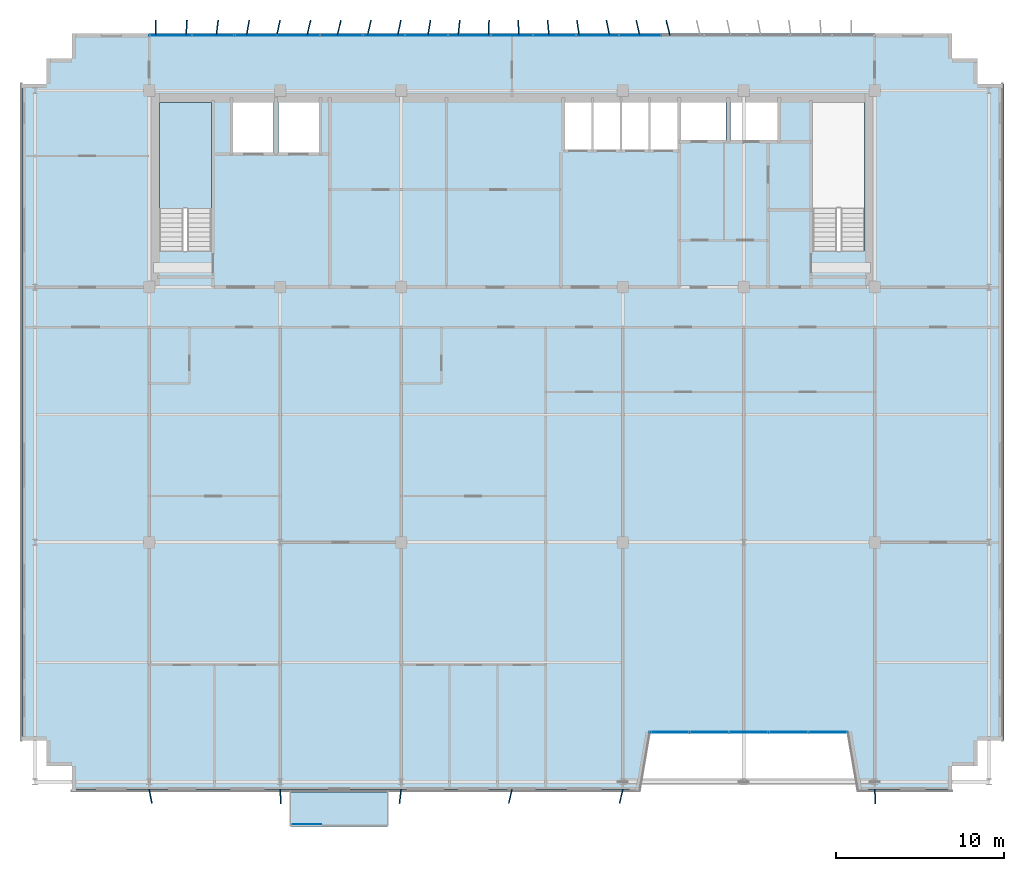
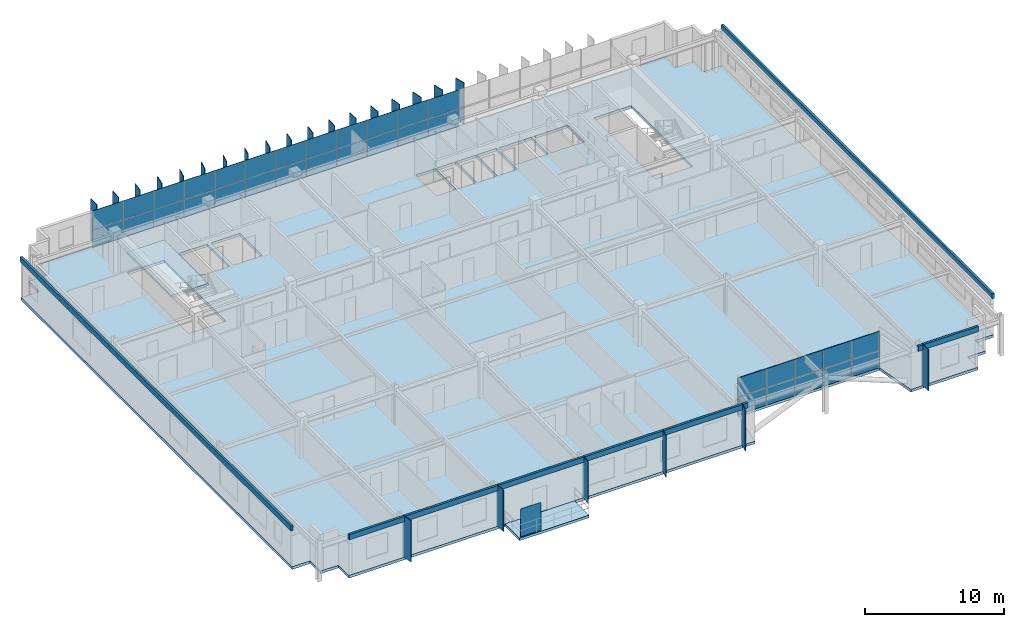
# One storey, part 19 of 27: 63 plates, 3 slabs, 3 elements without a shape of their own.
"""IFC4 building model written with IfcOpenShell, lengths in metres."""

from ifc_helpers import new_model, si_unit, direction, frame, origin, origin_2d, place, context, subcontext, project, spatial, polyline, rectangle, outline, extrude, source, transform, mapped, material, layer, layer_set, type_object, element, aggregate, save


model = new_model("IFC4")

# Units and contexts
model_context = context("Model", 3, precision=1e-05, world=origin(), true_north=direction((0.0, 1.0)))
body_context = subcontext(model_context, "Body", "Model", "MODEL_VIEW")
ifc_project = project(units=[si_unit("LENGTHUNIT", "METRE"), si_unit("AREAUNIT", "SQUARE_METRE"), si_unit("VOLUMEUNIT", "CUBIC_METRE"), si_unit("PLANEANGLEUNIT", "RADIAN"), si_unit("MASSUNIT", "GRAM", prefix="KILO")], contexts=[model_context])

# Site, building, storey
site_placement = place(None, origin())
site = spatial("IfcSite", under=ifc_project, at=site_placement, CompositionType="ELEMENT")
building_placement = place(site_placement, origin())
building = spatial("IfcBuilding", under=site, at=building_placement, Name="Trelvane Seafront Commons", CompositionType="ELEMENT")
storey_placement = place(building_placement, frame((0.0, 0.0, 237.300048828125)))
storey = spatial("IfcBuildingStorey", under=building, at=storey_placement, Name="L62", CompositionType="ELEMENT", Elevation=237.300048828125)

# Slab
ifc_material_1 = material(Name="Concrete C40/50", Category="concrete")
ifc_layer_1 = layer(ifc_material_1, 0.219970703125, Name="ARCH-BALC-220")
ifc_layer_set_1 = layer_set([ifc_layer_1], Name="Concrete C40/50")
slab_type_1 = type_object("IfcSlabType", Name="ARCH-BALC-220", PredefinedType="FLOOR", material=ifc_layer_set_1)
slab_1_placement = place(storey_placement, frame((0.0, 0.0, -0.219970703125)))
element("IfcSlab", 1, at=slab_1_placement, inside=storey, type_object=slab_type_1, Name="L62 Cantilevered Tree Balcony Loggia 2", PredefinedType="FLOOR", context=body_context, shape_type="SweptSolid", body=[
    extrude(outline(polyline([(24.0, 1.300048828125), (29.800048828125, 1.300048828125), (29.800048828125, 3.39990234375), (24.0, 3.39990234375), (24.0, 1.300048828125)])), origin(), (0.0, 0.0, 1.0), 0.219970703125),
])

# Stair, slab
stair_type = type_object("IfcStairType", Name="ARCH-STR-ST-1-R20-180", PredefinedType="HALF_TURN_STAIR", material=ifc_material_1)
stair_placement = place(storey_placement, origin())
stair = element("IfcStair", 2, at=stair_placement, inside=storey, type_object=stair_type, Name="L62 West Protected Firefighting Exit Stair ST-1", PredefinedType="HALF_TURN_STAIR")
ifc_layer_2 = layer(ifc_material_1, 0.199951171875, Name="ARCH-LND-200")
ifc_layer_set_2 = layer_set([ifc_layer_2], Name="Concrete C40/50")
slab_type_2 = type_object("IfcSlabType", Name="ARCH-LND-200", PredefinedType="LANDING", material=ifc_layer_set_2)
slab_2_placement = place(storey_placement, frame((0.0, 0.0, 1.599853515625)))
slab_2 = element("IfcSlab", 3, at=slab_2_placement, type_object=slab_type_2, Name="ST-1 landing 1", PredefinedType="LANDING", context=body_context, shape_type="SweptSolid", body=[
    extrude(outline(polyline([(19.300048828125, 38.070068359375), (19.300048828125, 44.39990234375), (16.199951171875, 44.39990234375), (16.199951171875, 38.070068359375), (19.300048828125, 38.070068359375)])), origin(), (0.0, 0.0, 1.0), 0.2001953125),
])
aggregate(stair, [slab_2])

# Slab
ifc_material_2 = material(Name="Concrete C50/60", Category="concrete")
ifc_layer_3 = layer(ifc_material_2, 0.239990234375, Name="STR-SLB-Z4-240")
ifc_layer_set_3 = layer_set([ifc_layer_3], Name="Concrete C50/60")
slab_type_3 = type_object("IfcSlabType", Name="STR-SLB-Z4-240", PredefinedType="FLOOR", material=ifc_layer_set_3)
slab_3_placement = place(storey_placement, frame((0.0, 0.0, -0.239990234375)))
element("IfcSlab", 4, at=slab_3_placement, inside=storey, type_object=slab_type_3, Name="L62 Structural Floor Slab", PredefinedType="FLOOR", context=body_context, shape_type="SweptSolid", body=[
    extrude(outline(polyline([(11.0, 3.39990234375), (44.800048828125, 3.39990234375), (45.39990234375, 6.89990234375), (57.199951171875, 6.89990234375), (57.800048828125, 3.39990234375), (63.39990234375, 3.39990234375), (63.39990234375, 4.89990234375), (64.89990234375, 4.89990234375), (64.89990234375, 6.39990234375), (66.39990234375, 6.39990234375), (66.39990234375, 45.5), (64.89990234375, 45.5), (64.89990234375, 47.0), (63.39990234375, 47.0), (63.39990234375, 48.5), (11.0, 48.5), (11.0, 47.0), (9.5, 47.0), (9.5, 45.5), (8.0, 45.5), (8.0, 6.39990234375), (9.5, 6.39990234375), (9.5, 4.89990234375), (11.0, 4.89990234375), (11.0, 3.39990234375)]), holes=[polyline([(19.300048828125, 35.550048828125), (16.199951171875, 35.550048828125), (16.199951171875, 44.39990234375), (19.300048828125, 44.39990234375), (19.300048828125, 35.550048828125)]), polyline([(58.199951171875, 35.550048828125), (55.10009765625, 35.550048828125), (55.10009765625, 44.39990234375), (58.199951171875, 44.39990234375), (58.199951171875, 35.550048828125)]), polyline([(23.0, 41.39990234375), (20.60009765625, 41.39990234375), (20.60009765625, 44.60009765625), (23.0, 44.60009765625), (23.0, 41.39990234375)]), polyline([(23.300048828125, 41.39990234375), (23.300048828125, 44.60009765625), (25.699951171875, 44.60009765625), (25.699951171875, 41.39990234375), (23.300048828125, 41.39990234375)]), polyline([(40.35009765625, 41.60009765625), (40.35009765625, 44.60009765625), (41.969970703125, 44.60009765625), (41.969970703125, 41.60009765625), (40.35009765625, 41.60009765625)]), polyline([(43.669921875, 41.60009765625), (42.050048828125, 41.60009765625), (42.050048828125, 44.60009765625), (43.669921875, 44.60009765625), (43.669921875, 41.60009765625)]), polyline([(45.3701171875, 41.60009765625), (43.75, 41.60009765625), (43.75, 44.60009765625), (45.3701171875, 44.60009765625), (45.3701171875, 41.60009765625)]), polyline([(47.070068359375, 41.60009765625), (45.449951171875, 41.60009765625), (45.449951171875, 44.60009765625), (47.070068359375, 44.60009765625), (47.070068359375, 41.60009765625)]), polyline([(47.25, 42.14990234375), (47.25, 44.550048828125), (49.949951171875, 44.550048828125), (49.949951171875, 42.14990234375), (47.25, 42.14990234375)]), polyline([(50.199951171875, 42.14990234375), (50.199951171875, 44.550048828125), (53.0, 44.550048828125), (53.0, 42.14990234375), (50.199951171875, 42.14990234375)])]), origin(), (0.0, 0.0, 1.0), 0.239990234375),
])

# Plates
ifc_material_3 = material(Name="Perforated anodised aluminium screen", Category="aluminium")
ifc_layer_4 = layer(ifc_material_3, 0.01611328125, Name="ARCH-PLATE-SCREEN")
ifc_layer_set_4 = layer_set([ifc_layer_4], Name="Perforated anodised aluminium screen")
plate_type_1 = type_object("IfcPlateType", Name="ARCH-PLATE-SCREEN", PredefinedType="USERDEFINED", material=ifc_layer_set_4)
shared_shape_1 = source(origin(), body_context, "Body", "SweptSolid", [
    extrude(rectangle(XDim=1.681884765625, YDim=0.01611328125, at=origin_2d()), origin(), (0.0, 0.0, 1.0), 2.449951171875),
])
plate_1_placement = place(storey_placement, frame((24.990966796875, 1.419921875, 0.0), z_axis=(0.0, 0.0, 1.0), x_axis=(1.0, 0.0, 0.0)))
element("IfcPlate", 5, at=plate_1_placement, inside=storey, type_object=plate_type_1, Name="SCR-L62-00217", ObjectType="SCREEN", PredefinedType="USERDEFINED", context=body_context, shape_type="MappedRepresentation", body=[
    mapped(shared_shape_1, transform((0.0, 0.0, 0.0), x_axis=(1.0, 0.0, 0.0), y_axis=(0.0, 1.0, 0.0), z_axis=(0.0, 0.0, 1.0), scale=1.0)),
])
ifc_material_4 = material(Name="Anodised pale-silver aluminium", Category="aluminium")
ifc_layer_5 = layer(ifc_material_4, 0.06005859375, Name="ARCH-PLATE-FIN900")
ifc_layer_set_5 = layer_set([ifc_layer_5], Name="Anodised pale-silver aluminium")
plate_type_2 = type_object("IfcPlateType", Name="ARCH-PLATE-FIN900", PredefinedType="USERDEFINED", material=ifc_layer_set_5)
shared_shape_2 = source(origin(), body_context, "Body", "SweptSolid", [
    extrude(rectangle(XDim=0.89990234375, YDim=0.06005859375, at=origin_2d()), origin(), (0.0, 0.0, 1.0), 3.639892578125),
])
for number, where, z_axis, x_axis, name in (
    (6, (15.9970703125, 48.85009765625, -0.02001953125), (0.0, 0.0, 1.0), (-0.006443711006, 0.999979239079, 0.0), "FIN-L62-01726"),
    (7, (17.826904296875, 48.84912109375, -0.02001953125), (0.0, 0.0, 1.0), (0.059667016932, 0.998218336383, 0.0), "FIN-L62-01727"),
    (8, (19.654541015625, 48.8466796875, -0.02001953125), (0.0, 0.0, 1.0), (0.121107086818, 0.992639447898, 0.0), "FIN-L62-01728"),
    (9, (21.477783203125, 48.84326171875, -0.02001953125), (0.0, 0.0, 1.0), (0.173221895596, 0.984882822922, 0.0), "FIN-L62-01729"),
    (10, (23.29541015625, 48.839599609375, -0.02001953125), (0.0, 0.0, 1.0), (0.212327761576, 0.977198506786, 0.0), "FIN-L62-01730"),
    (11, (25.10595703125, 48.83740234375, -0.02001953125), (0.0, 0.0, 1.0), (0.235549226534, 0.971862419213, 0.0), "FIN-L62-01731"),
    (12, (26.90869140625, 48.836669921875, -0.02001953125), (0.0, 0.0, 1.0), (0.24167294527, 0.970357762645, 0.0), "FIN-L62-01732"),
    (13, (28.70361328125, 48.837890625, -0.02001953125), (0.0, 0.0, 1.0), (0.230228077667, 0.973136697619, 0.0), "FIN-L62-01733"),
    (14, (30.490966796875, 48.8408203125, -0.02001953125), (0.0, 0.0, 1.0), (0.201881403632, 0.979409974866, 0.0), "FIN-L62-01734"),
    (15, (32.271240234375, 48.84423828125, -0.02001953125), (0.0, 0.0, 1.0), (0.158449308582, 0.987367113393, 0.0), "FIN-L62-01735"),
    (16, (34.04638671875, 48.84765625, -0.02001953125), (0.0, 0.0, 1.0), (0.103000864602, 0.994681266482, 0.0), "FIN-L62-01736"),
    (17, (35.81787109375, 48.849609375, -0.02001953125), (0.0, 0.0, 1.0), (0.039666160696, 0.999212988154, 0.0), "FIN-L62-01737"),
    (18, (37.587890625, 48.849853515625, -0.02001953125), (0.0, 0.0, 1.0), (-0.026888791929, 0.999638431068, 0.0), "FIN-L62-01738"),
    (19, (39.35888671875, 48.84814453125, -0.02001953125), (0.0, 0.0, 1.0), (-0.091227010008, 0.995830122383, 0.0), "FIN-L62-01739"),
    (20, (41.13330078125, 48.844970703125, -0.02001953125), (0.0, 0.0, 1.0), (-0.148558521364, 0.988903618019, 0.0), "FIN-L62-01740"),
    (21, (42.912353515625, 48.84130859375, -0.02001953125), (0.0, 0.0, 1.0), (-0.194556213627, 0.980891369999, 0.0), "FIN-L62-01741"),
    (22, (44.6982421875, 48.83837890625, -0.02001953125), (0.0, 0.0, 1.0), (-0.226003592141, 0.97412646835, 0.0), "FIN-L62-01742"),
    (23, (46.49169921875, 48.836669921875, -0.02001953125), (0.0, 0.0, 1.0), (-0.240888732524, 0.970552738672, 0.0), "FIN-L62-01743"),
):
    element("IfcPlate", number, at=place(storey_placement, frame(where, z_axis=z_axis, x_axis=x_axis)), inside=storey, type_object=plate_type_2, Name=name, ObjectType="FIN", PredefinedType="USERDEFINED", context=body_context, shape_type="MappedRepresentation", body=[
        mapped(shared_shape_2, transform((0.0, 0.0, 0.0), x_axis=(1.0, 0.0, 0.0), y_axis=(0.0, 1.0, 0.0), z_axis=(0.0, 0.0, 1.0), scale=1.0)),
    ])
shared_shape_3 = source(origin(), body_context, "Body", "SweptSolid", [
    extrude(rectangle(XDim=0.85009765625, YDim=0.06005859375, at=origin_2d()), origin(), (0.0, 0.0, 1.0), 3.639892578125),
])
for number, where, z_axis, x_axis, name in (
    (24, (23.42041015625, 3.075439453125, -0.02001953125), (0.0, 0.0, 1.0), (0.047883989066, -0.998852903881, 0.0), "FIN-S-L62-01751"),
    (25, (30.550048828125, 3.077880859375, -0.02001953125), (0.0, 0.0, 1.0), (-0.117530464529, -0.993069277497, 0.0), "FIN-S-L62-01752"),
    (26, (37.10400390625, 3.0859375, -0.02001953125), (0.0, 0.0, 1.0), (-0.226001891969, -0.974126862799, 0.0), "FIN-S-L62-01753"),
    (27, (43.70263671875, 3.086181640625, -0.02001953125), (0.0, 0.0, 1.0), (-0.228947251948, -0.973438830038, 0.0), "FIN-S-L62-01754"),
    (28, (58.816650390625, 3.075439453125, -0.02001953125), (0.0, 0.0, 1.0), (0.039177848395, -0.99923225338, 0.0), "FIN-S-L62-01755"),
):
    element("IfcPlate", number, at=place(storey_placement, frame(where, z_axis=z_axis, x_axis=x_axis)), inside=storey, type_object=plate_type_2, Name=name, ObjectType="FIN", PredefinedType="USERDEFINED", context=body_context, shape_type="MappedRepresentation", body=[
        mapped(shared_shape_3, transform((0.0, 0.0, 0.0), x_axis=(1.0, 0.0, 0.0), y_axis=(0.0, 1.0, 0.0), z_axis=(0.0, 0.0, 1.0), scale=1.0)),
    ])

# Curtain wall, plates
curtain_wall_type_1 = type_object("IfcCurtainWallType", Name="ARCH-CW3-PORTAL", PredefinedType="NOTDEFINED", material=ifc_material_4)
curtain_wall_1_placement = place(storey_placement, origin())
curtain_wall_1 = element("IfcCurtainWall", 29, at=curtain_wall_1_placement, inside=storey, type_object=curtain_wall_type_1, Name="CW-L62-VN-0107", PredefinedType="NOTDEFINED")
ifc_material_5 = material(Name="Low-E coastal double glazing", Category="glass")
ifc_layer_6 = layer(ifc_material_5, 0.033935546875, Name="ARCH-CW-GLAZ-34")
ifc_layer_set_6 = layer_set([ifc_layer_6], Name="Low-E coastal double glazing")
plate_type_3 = type_object("IfcPlateType", Name="ARCH-CW-GLAZ-34", PredefinedType="CURTAIN_PANEL", material=ifc_layer_set_6)
shared_shape_4 = source(origin(), body_context, "Body", "SweptSolid", [
    extrude(rectangle(XDim=2.3359375, YDim=0.0380859375, at=origin_2d()), origin(), (0.0, 0.0, 1.0), 1.528076171875),
])
plate_2_placement = place(storey_placement, frame((56.02001953125, 6.89990234375, 0.0), z_axis=(0.0, 0.0, 1.0), x_axis=(-1.0, 0.0, 0.0)))
plate_2 = element("IfcPlate", 30, at=plate_2_placement, type_object=plate_type_3, Name="CW-L62-VN-0107-P00-1", PredefinedType="CURTAIN_PANEL", context=body_context, shape_type="MappedRepresentation", body=[
    mapped(shared_shape_4, transform((0.0, 0.0, 0.0), x_axis=(1.0, 0.0, 0.0), y_axis=(0.0, 1.0, 0.0), z_axis=(0.0, 0.0, 1.0), scale=1.0)),
])
plate_3_placement = place(storey_placement, frame((53.659912109375, 6.89990234375, 0.0), z_axis=(0.0, 0.0, 1.0), x_axis=(-1.0, 0.0, 0.0)))
plate_3 = element("IfcPlate", 31, at=plate_3_placement, type_object=plate_type_3, Name="CW-L62-VN-0107-P01-1", PredefinedType="CURTAIN_PANEL", context=body_context, shape_type="MappedRepresentation", body=[
    mapped(shared_shape_4, transform((0.0, 0.0, 0.0), x_axis=(1.0, 0.0, 0.0), y_axis=(0.0, 1.0, 0.0), z_axis=(0.0, 0.0, 1.0), scale=1.0)),
])
plate_4_placement = place(storey_placement, frame((51.300048828125, 6.89990234375, 0.0), z_axis=(0.0, 0.0, 1.0), x_axis=(-1.0, 0.0, 0.0)))
plate_4 = element("IfcPlate", 32, at=plate_4_placement, type_object=plate_type_3, Name="CW-L62-VN-0107-P02-1", PredefinedType="CURTAIN_PANEL", context=body_context, shape_type="MappedRepresentation", body=[
    mapped(shared_shape_4, transform((0.0, 0.0, 0.0), x_axis=(1.0, 0.0, 0.0), y_axis=(0.0, 1.0, 0.0), z_axis=(0.0, 0.0, 1.0), scale=1.0)),
])
plate_5_placement = place(storey_placement, frame((48.93994140625, 6.89990234375, 0.0), z_axis=(0.0, 0.0, 1.0), x_axis=(-1.0, 0.0, 0.0)))
plate_5 = element("IfcPlate", 33, at=plate_5_placement, type_object=plate_type_3, Name="CW-L62-VN-0107-P03-1", PredefinedType="CURTAIN_PANEL", context=body_context, shape_type="MappedRepresentation", body=[
    mapped(shared_shape_4, transform((0.0, 0.0, 0.0), x_axis=(1.0, 0.0, 0.0), y_axis=(0.0, 1.0, 0.0), z_axis=(0.0, 0.0, 1.0), scale=1.0)),
])
plate_6_placement = place(storey_placement, frame((46.580078125, 6.89990234375, 0.0), z_axis=(0.0, 0.0, 1.0), x_axis=(-1.0, 0.0, 0.0)))
plate_6 = element("IfcPlate", 34, at=plate_6_placement, type_object=plate_type_3, Name="CW-L62-VN-0107-P04-1", PredefinedType="CURTAIN_PANEL", context=body_context, shape_type="MappedRepresentation", body=[
    mapped(shared_shape_4, transform((0.0, 0.0, 0.0), x_axis=(1.0, 0.0, 0.0), y_axis=(0.0, 1.0, 0.0), z_axis=(0.0, 0.0, 1.0), scale=1.0)),
])
shared_shape_5 = source(origin(), body_context, "Body", "SweptSolid", [
    extrude(rectangle(XDim=2.3359375, YDim=0.0380859375, at=origin_2d()), origin(), (0.0, 0.0, 1.0), 1.656005859375),
])
plate_7_placement = place(storey_placement, frame((56.02001953125, 6.89990234375, 1.56396484375), z_axis=(0.0, 0.0, 1.0), x_axis=(-1.0, 0.0, 0.0)))
plate_7 = element("IfcPlate", 35, at=plate_7_placement, type_object=plate_type_3, Name="CW-L62-VN-0107-P00-2", PredefinedType="CURTAIN_PANEL", context=body_context, shape_type="MappedRepresentation", body=[
    mapped(shared_shape_5, transform((0.0, 0.0, 0.0), x_axis=(1.0, 0.0, 0.0), y_axis=(0.0, 1.0, 0.0), z_axis=(0.0, 0.0, 1.0), scale=1.0)),
])
plate_8_placement = place(storey_placement, frame((53.659912109375, 6.89990234375, 1.56396484375), z_axis=(0.0, 0.0, 1.0), x_axis=(-1.0, 0.0, 0.0)))
plate_8 = element("IfcPlate", 36, at=plate_8_placement, type_object=plate_type_3, Name="CW-L62-VN-0107-P01-2", PredefinedType="CURTAIN_PANEL", context=body_context, shape_type="MappedRepresentation", body=[
    mapped(shared_shape_5, transform((0.0, 0.0, 0.0), x_axis=(1.0, 0.0, 0.0), y_axis=(0.0, 1.0, 0.0), z_axis=(0.0, 0.0, 1.0), scale=1.0)),
])
plate_9_placement = place(storey_placement, frame((51.300048828125, 6.89990234375, 1.56396484375), z_axis=(0.0, 0.0, 1.0), x_axis=(-1.0, 0.0, 0.0)))
plate_9 = element("IfcPlate", 37, at=plate_9_placement, type_object=plate_type_3, Name="CW-L62-VN-0107-P02-2", PredefinedType="CURTAIN_PANEL", context=body_context, shape_type="MappedRepresentation", body=[
    mapped(shared_shape_5, transform((0.0, 0.0, 0.0), x_axis=(1.0, 0.0, 0.0), y_axis=(0.0, 1.0, 0.0), z_axis=(0.0, 0.0, 1.0), scale=1.0)),
])
plate_10_placement = place(storey_placement, frame((48.93994140625, 6.89990234375, 1.56396484375), z_axis=(0.0, 0.0, 1.0), x_axis=(-1.0, 0.0, 0.0)))
plate_10 = element("IfcPlate", 38, at=plate_10_placement, type_object=plate_type_3, Name="CW-L62-VN-0107-P03-2", PredefinedType="CURTAIN_PANEL", context=body_context, shape_type="MappedRepresentation", body=[
    mapped(shared_shape_5, transform((0.0, 0.0, 0.0), x_axis=(1.0, 0.0, 0.0), y_axis=(0.0, 1.0, 0.0), z_axis=(0.0, 0.0, 1.0), scale=1.0)),
])
plate_11_placement = place(storey_placement, frame((46.580078125, 6.89990234375, 1.56396484375), z_axis=(0.0, 0.0, 1.0), x_axis=(-1.0, 0.0, 0.0)))
plate_11 = element("IfcPlate", 39, at=plate_11_placement, type_object=plate_type_3, Name="CW-L62-VN-0107-P04-2", PredefinedType="CURTAIN_PANEL", context=body_context, shape_type="MappedRepresentation", body=[
    mapped(shared_shape_5, transform((0.0, 0.0, 0.0), x_axis=(1.0, 0.0, 0.0), y_axis=(0.0, 1.0, 0.0), z_axis=(0.0, 0.0, 1.0), scale=1.0)),
])
aggregate(curtain_wall_1, [plate_2, plate_7, plate_3, plate_8, plate_4, plate_9, plate_5, plate_10, plate_6, plate_11])

# Plate
shared_shape_6 = source(origin(), body_context, "Body", "SweptSolid", [
    extrude(rectangle(XDim=0.849853515625, YDim=0.06005859375, at=origin_2d()), origin(), (0.0, 0.0, 1.0), 3.639892578125),
])
plate_12_placement = place(storey_placement, frame((15.6806640625, 3.082763671875, -0.02001953125), z_axis=(0.0, 0.0, 1.0), x_axis=(0.189777506137, -0.981827122341, 0.0)))
element("IfcPlate", 40, at=plate_12_placement, inside=storey, type_object=plate_type_2, Name="FIN-S-L62-01750", ObjectType="FIN", PredefinedType="USERDEFINED", context=body_context, shape_type="MappedRepresentation", body=[
    mapped(shared_shape_6, transform((0.0, 0.0, 0.0), x_axis=(1.0, 0.0, 0.0), y_axis=(0.0, 1.0, 0.0), z_axis=(0.0, 0.0, 1.0), scale=1.0)),
])

# Curtain wall, plates
curtain_wall_type_2 = type_object("IfcCurtainWallType", Name="ARCH-CW5-UPTOWER", PredefinedType="NOTDEFINED", material=ifc_material_4)
curtain_wall_2_placement = place(storey_placement, origin())
curtain_wall_2 = element("IfcCurtainWall", 41, at=curtain_wall_2_placement, inside=storey, type_object=curtain_wall_type_2, Name="CW-L62-0106", PredefinedType="NOTDEFINED")
shared_shape_7 = source(origin(), body_context, "Body", "SweptSolid", [
    extrude(rectangle(XDim=2.51708984375, YDim=0.033935546875, at=origin_2d()), origin(), (0.0, 0.0, 1.0), 1.528076171875),
])
plate_13_placement = place(storey_placement, frame((16.87060546875, 48.3701171875, 0.0), z_axis=(0.0, 0.0, 1.0), x_axis=(1.0, 0.0, 0.0)))
plate_13 = element("IfcPlate", 42, at=plate_13_placement, type_object=plate_type_3, Name="CW-L62-0106-P00-1", PredefinedType="CURTAIN_PANEL", context=body_context, shape_type="MappedRepresentation", body=[
    mapped(shared_shape_7, transform((0.0, 0.0, 0.0), x_axis=(1.0, 0.0, 0.0), y_axis=(0.0, 1.0, 0.0), z_axis=(0.0, 0.0, 1.0), scale=1.0)),
])
plate_14_placement = place(storey_placement, frame((19.411865234375, 48.3701171875, 0.0), z_axis=(0.0, 0.0, 1.0), x_axis=(1.0, 0.0, 0.0)))
plate_14 = element("IfcPlate", 43, at=plate_14_placement, type_object=plate_type_3, Name="CW-L62-0106-P01-1", PredefinedType="CURTAIN_PANEL", context=body_context, shape_type="MappedRepresentation", body=[
    mapped(shared_shape_7, transform((0.0, 0.0, 0.0), x_axis=(1.0, 0.0, 0.0), y_axis=(0.0, 1.0, 0.0), z_axis=(0.0, 0.0, 1.0), scale=1.0)),
])
plate_15_placement = place(storey_placement, frame((21.952880859375, 48.3701171875, 0.0), z_axis=(0.0, 0.0, 1.0), x_axis=(1.0, 0.0, 0.0)))
plate_15 = element("IfcPlate", 44, at=plate_15_placement, type_object=plate_type_3, Name="CW-L62-0106-P02-1", PredefinedType="CURTAIN_PANEL", context=body_context, shape_type="MappedRepresentation", body=[
    mapped(shared_shape_7, transform((0.0, 0.0, 0.0), x_axis=(1.0, 0.0, 0.0), y_axis=(0.0, 1.0, 0.0), z_axis=(0.0, 0.0, 1.0), scale=1.0)),
])
plate_16_placement = place(storey_placement, frame((24.494140625, 48.3701171875, 0.0), z_axis=(0.0, 0.0, 1.0), x_axis=(1.0, 0.0, 0.0)))
plate_16 = element("IfcPlate", 45, at=plate_16_placement, type_object=plate_type_3, Name="CW-L62-0106-P03-1", PredefinedType="CURTAIN_PANEL", context=body_context, shape_type="MappedRepresentation", body=[
    mapped(shared_shape_7, transform((0.0, 0.0, 0.0), x_axis=(1.0, 0.0, 0.0), y_axis=(0.0, 1.0, 0.0), z_axis=(0.0, 0.0, 1.0), scale=1.0)),
])
plate_17_placement = place(storey_placement, frame((27.035400390625, 48.3701171875, 0.0), z_axis=(0.0, 0.0, 1.0), x_axis=(1.0, 0.0, 0.0)))
plate_17 = element("IfcPlate", 46, at=plate_17_placement, type_object=plate_type_3, Name="CW-L62-0106-P04-1", PredefinedType="CURTAIN_PANEL", context=body_context, shape_type="MappedRepresentation", body=[
    mapped(shared_shape_7, transform((0.0, 0.0, 0.0), x_axis=(1.0, 0.0, 0.0), y_axis=(0.0, 1.0, 0.0), z_axis=(0.0, 0.0, 1.0), scale=1.0)),
])
plate_18_placement = place(storey_placement, frame((29.576416015625, 48.3701171875, 0.0), z_axis=(0.0, 0.0, 1.0), x_axis=(1.0, 0.0, 0.0)))
plate_18 = element("IfcPlate", 47, at=plate_18_placement, type_object=plate_type_3, Name="CW-L62-0106-P05-1", PredefinedType="CURTAIN_PANEL", context=body_context, shape_type="MappedRepresentation", body=[
    mapped(shared_shape_7, transform((0.0, 0.0, 0.0), x_axis=(1.0, 0.0, 0.0), y_axis=(0.0, 1.0, 0.0), z_axis=(0.0, 0.0, 1.0), scale=1.0)),
])
plate_19_placement = place(storey_placement, frame((32.11767578125, 48.3701171875, 0.0), z_axis=(0.0, 0.0, 1.0), x_axis=(1.0, 0.0, 0.0)))
plate_19 = element("IfcPlate", 48, at=plate_19_placement, type_object=plate_type_3, Name="CW-L62-0106-P06-1", PredefinedType="CURTAIN_PANEL", context=body_context, shape_type="MappedRepresentation", body=[
    mapped(shared_shape_7, transform((0.0, 0.0, 0.0), x_axis=(1.0, 0.0, 0.0), y_axis=(0.0, 1.0, 0.0), z_axis=(0.0, 0.0, 1.0), scale=1.0)),
])
plate_20_placement = place(storey_placement, frame((34.65869140625, 48.3701171875, 0.0), z_axis=(0.0, 0.0, 1.0), x_axis=(1.0, 0.0, 0.0)))
plate_20 = element("IfcPlate", 49, at=plate_20_placement, type_object=plate_type_3, Name="CW-L62-0106-P07-1", PredefinedType="CURTAIN_PANEL", context=body_context, shape_type="MappedRepresentation", body=[
    mapped(shared_shape_7, transform((0.0, 0.0, 0.0), x_axis=(1.0, 0.0, 0.0), y_axis=(0.0, 1.0, 0.0), z_axis=(0.0, 0.0, 1.0), scale=1.0)),
])
plate_21_placement = place(storey_placement, frame((37.199951171875, 48.3701171875, 0.0), z_axis=(0.0, 0.0, 1.0), x_axis=(1.0, 0.0, 0.0)))
plate_21 = element("IfcPlate", 50, at=plate_21_placement, type_object=plate_type_3, Name="CW-L62-0106-P08-1", PredefinedType="CURTAIN_PANEL", context=body_context, shape_type="MappedRepresentation", body=[
    mapped(shared_shape_7, transform((0.0, 0.0, 0.0), x_axis=(1.0, 0.0, 0.0), y_axis=(0.0, 1.0, 0.0), z_axis=(0.0, 0.0, 1.0), scale=1.0)),
])
plate_22_placement = place(storey_placement, frame((39.7412109375, 48.3701171875, 0.0), z_axis=(0.0, 0.0, 1.0), x_axis=(1.0, 0.0, 0.0)))
plate_22 = element("IfcPlate", 51, at=plate_22_placement, type_object=plate_type_3, Name="CW-L62-0106-P09-1", PredefinedType="CURTAIN_PANEL", context=body_context, shape_type="MappedRepresentation", body=[
    mapped(shared_shape_7, transform((0.0, 0.0, 0.0), x_axis=(1.0, 0.0, 0.0), y_axis=(0.0, 1.0, 0.0), z_axis=(0.0, 0.0, 1.0), scale=1.0)),
])
plate_23_placement = place(storey_placement, frame((42.282470703125, 48.3701171875, 0.0), z_axis=(0.0, 0.0, 1.0), x_axis=(1.0, 0.0, 0.0)))
plate_23 = element("IfcPlate", 52, at=plate_23_placement, type_object=plate_type_3, Name="CW-L62-0106-P10-1", PredefinedType="CURTAIN_PANEL", context=body_context, shape_type="MappedRepresentation", body=[
    mapped(shared_shape_7, transform((0.0, 0.0, 0.0), x_axis=(1.0, 0.0, 0.0), y_axis=(0.0, 1.0, 0.0), z_axis=(0.0, 0.0, 1.0), scale=1.0)),
])
plate_24_placement = place(storey_placement, frame((44.823486328125, 48.3701171875, 0.0), z_axis=(0.0, 0.0, 1.0), x_axis=(1.0, 0.0, 0.0)))
plate_24 = element("IfcPlate", 53, at=plate_24_placement, type_object=plate_type_3, Name="CW-L62-0106-P11-1", PredefinedType="CURTAIN_PANEL", context=body_context, shape_type="MappedRepresentation", body=[
    mapped(shared_shape_7, transform((0.0, 0.0, 0.0), x_axis=(1.0, 0.0, 0.0), y_axis=(0.0, 1.0, 0.0), z_axis=(0.0, 0.0, 1.0), scale=1.0)),
])
shared_shape_8 = source(origin(), body_context, "Body", "SweptSolid", [
    extrude(rectangle(XDim=2.51708984375, YDim=0.033935546875, at=origin_2d()), origin(), (0.0, 0.0, 1.0), 1.656005859375),
])
plate_25_placement = place(storey_placement, frame((16.87060546875, 48.3701171875, 1.56396484375), z_axis=(0.0, 0.0, 1.0), x_axis=(1.0, 0.0, 0.0)))
plate_25 = element("IfcPlate", 54, at=plate_25_placement, type_object=plate_type_3, Name="CW-L62-0106-P00-2", PredefinedType="CURTAIN_PANEL", context=body_context, shape_type="MappedRepresentation", body=[
    mapped(shared_shape_8, transform((0.0, 0.0, 0.0), x_axis=(1.0, 0.0, 0.0), y_axis=(0.0, 1.0, 0.0), z_axis=(0.0, 0.0, 1.0), scale=1.0)),
])
plate_26_placement = place(storey_placement, frame((19.411865234375, 48.3701171875, 1.56396484375), z_axis=(0.0, 0.0, 1.0), x_axis=(1.0, 0.0, 0.0)))
plate_26 = element("IfcPlate", 55, at=plate_26_placement, type_object=plate_type_3, Name="CW-L62-0106-P01-2", PredefinedType="CURTAIN_PANEL", context=body_context, shape_type="MappedRepresentation", body=[
    mapped(shared_shape_8, transform((0.0, 0.0, 0.0), x_axis=(1.0, 0.0, 0.0), y_axis=(0.0, 1.0, 0.0), z_axis=(0.0, 0.0, 1.0), scale=1.0)),
])
plate_27_placement = place(storey_placement, frame((21.952880859375, 48.3701171875, 1.56396484375), z_axis=(0.0, 0.0, 1.0), x_axis=(1.0, 0.0, 0.0)))
plate_27 = element("IfcPlate", 56, at=plate_27_placement, type_object=plate_type_3, Name="CW-L62-0106-P02-2", PredefinedType="CURTAIN_PANEL", context=body_context, shape_type="MappedRepresentation", body=[
    mapped(shared_shape_8, transform((0.0, 0.0, 0.0), x_axis=(1.0, 0.0, 0.0), y_axis=(0.0, 1.0, 0.0), z_axis=(0.0, 0.0, 1.0), scale=1.0)),
])
plate_28_placement = place(storey_placement, frame((24.494140625, 48.3701171875, 1.56396484375), z_axis=(0.0, 0.0, 1.0), x_axis=(1.0, 0.0, 0.0)))
plate_28 = element("IfcPlate", 57, at=plate_28_placement, type_object=plate_type_3, Name="CW-L62-0106-P03-2", PredefinedType="CURTAIN_PANEL", context=body_context, shape_type="MappedRepresentation", body=[
    mapped(shared_shape_8, transform((0.0, 0.0, 0.0), x_axis=(1.0, 0.0, 0.0), y_axis=(0.0, 1.0, 0.0), z_axis=(0.0, 0.0, 1.0), scale=1.0)),
])
plate_29_placement = place(storey_placement, frame((27.035400390625, 48.3701171875, 1.56396484375), z_axis=(0.0, 0.0, 1.0), x_axis=(1.0, 0.0, 0.0)))
plate_29 = element("IfcPlate", 58, at=plate_29_placement, type_object=plate_type_3, Name="CW-L62-0106-P04-2", PredefinedType="CURTAIN_PANEL", context=body_context, shape_type="MappedRepresentation", body=[
    mapped(shared_shape_8, transform((0.0, 0.0, 0.0), x_axis=(1.0, 0.0, 0.0), y_axis=(0.0, 1.0, 0.0), z_axis=(0.0, 0.0, 1.0), scale=1.0)),
])
plate_30_placement = place(storey_placement, frame((29.576416015625, 48.3701171875, 1.56396484375), z_axis=(0.0, 0.0, 1.0), x_axis=(1.0, 0.0, 0.0)))
plate_30 = element("IfcPlate", 59, at=plate_30_placement, type_object=plate_type_3, Name="CW-L62-0106-P05-2", PredefinedType="CURTAIN_PANEL", context=body_context, shape_type="MappedRepresentation", body=[
    mapped(shared_shape_8, transform((0.0, 0.0, 0.0), x_axis=(1.0, 0.0, 0.0), y_axis=(0.0, 1.0, 0.0), z_axis=(0.0, 0.0, 1.0), scale=1.0)),
])
plate_31_placement = place(storey_placement, frame((32.11767578125, 48.3701171875, 1.56396484375), z_axis=(0.0, 0.0, 1.0), x_axis=(1.0, 0.0, 0.0)))
plate_31 = element("IfcPlate", 60, at=plate_31_placement, type_object=plate_type_3, Name="CW-L62-0106-P06-2", PredefinedType="CURTAIN_PANEL", context=body_context, shape_type="MappedRepresentation", body=[
    mapped(shared_shape_8, transform((0.0, 0.0, 0.0), x_axis=(1.0, 0.0, 0.0), y_axis=(0.0, 1.0, 0.0), z_axis=(0.0, 0.0, 1.0), scale=1.0)),
])
plate_32_placement = place(storey_placement, frame((34.65869140625, 48.3701171875, 1.56396484375), z_axis=(0.0, 0.0, 1.0), x_axis=(1.0, 0.0, 0.0)))
plate_32 = element("IfcPlate", 61, at=plate_32_placement, type_object=plate_type_3, Name="CW-L62-0106-P07-2", PredefinedType="CURTAIN_PANEL", context=body_context, shape_type="MappedRepresentation", body=[
    mapped(shared_shape_8, transform((0.0, 0.0, 0.0), x_axis=(1.0, 0.0, 0.0), y_axis=(0.0, 1.0, 0.0), z_axis=(0.0, 0.0, 1.0), scale=1.0)),
])
plate_33_placement = place(storey_placement, frame((37.199951171875, 48.3701171875, 1.56396484375), z_axis=(0.0, 0.0, 1.0), x_axis=(1.0, 0.0, 0.0)))
plate_33 = element("IfcPlate", 62, at=plate_33_placement, type_object=plate_type_3, Name="CW-L62-0106-P08-2", PredefinedType="CURTAIN_PANEL", context=body_context, shape_type="MappedRepresentation", body=[
    mapped(shared_shape_8, transform((0.0, 0.0, 0.0), x_axis=(1.0, 0.0, 0.0), y_axis=(0.0, 1.0, 0.0), z_axis=(0.0, 0.0, 1.0), scale=1.0)),
])
plate_34_placement = place(storey_placement, frame((39.7412109375, 48.3701171875, 1.56396484375), z_axis=(0.0, 0.0, 1.0), x_axis=(1.0, 0.0, 0.0)))
plate_34 = element("IfcPlate", 63, at=plate_34_placement, type_object=plate_type_3, Name="CW-L62-0106-P09-2", PredefinedType="CURTAIN_PANEL", context=body_context, shape_type="MappedRepresentation", body=[
    mapped(shared_shape_8, transform((0.0, 0.0, 0.0), x_axis=(1.0, 0.0, 0.0), y_axis=(0.0, 1.0, 0.0), z_axis=(0.0, 0.0, 1.0), scale=1.0)),
])
plate_35_placement = place(storey_placement, frame((42.282470703125, 48.3701171875, 1.56396484375), z_axis=(0.0, 0.0, 1.0), x_axis=(1.0, 0.0, 0.0)))
plate_35 = element("IfcPlate", 64, at=plate_35_placement, type_object=plate_type_3, Name="CW-L62-0106-P10-2", PredefinedType="CURTAIN_PANEL", context=body_context, shape_type="MappedRepresentation", body=[
    mapped(shared_shape_8, transform((0.0, 0.0, 0.0), x_axis=(1.0, 0.0, 0.0), y_axis=(0.0, 1.0, 0.0), z_axis=(0.0, 0.0, 1.0), scale=1.0)),
])
plate_36_placement = place(storey_placement, frame((44.823486328125, 48.3701171875, 1.56396484375), z_axis=(0.0, 0.0, 1.0), x_axis=(1.0, 0.0, 0.0)))
plate_36 = element("IfcPlate", 65, at=plate_36_placement, type_object=plate_type_3, Name="CW-L62-0106-P11-2", PredefinedType="CURTAIN_PANEL", context=body_context, shape_type="MappedRepresentation", body=[
    mapped(shared_shape_8, transform((0.0, 0.0, 0.0), x_axis=(1.0, 0.0, 0.0), y_axis=(0.0, 1.0, 0.0), z_axis=(0.0, 0.0, 1.0), scale=1.0)),
])
aggregate(curtain_wall_2, [plate_13, plate_25, plate_14, plate_26, plate_15, plate_27, plate_16, plate_28, plate_17, plate_29, plate_18, plate_30, plate_19, plate_31, plate_20, plate_32, plate_21, plate_33, plate_22, plate_34, plate_23, plate_35, plate_24, plate_36])

# Plates
ifc_layer_7 = layer(ifc_material_4, 0.179931640625, Name="ARCH-PLATE-AERO")
ifc_layer_set_7 = layer_set([ifc_layer_7], Name="Anodised pale-silver aluminium")
plate_type_4 = type_object("IfcPlateType", Name="ARCH-PLATE-AERO", PredefinedType="SHEET", material=ifc_layer_set_7)
shared_shape_9 = source(origin(), body_context, "Body", "SweptSolid", [
    extrude(rectangle(XDim=39.10009765625, YDim=0.179931640625, at=origin_2d()), origin(), (0.0, 0.0, 1.0), 0.4599609375),
])
for number, where, z_axis, x_axis, name in (
    (66, (8.0, 25.949951171875, 3.159912109375), (0.0, 0.0, 1.0), (0.0, 1.0, 0.0), "AER-L62-00215"),
    (67, (66.39990234375, 25.949951171875, 3.159912109375), (0.0, 0.0, 1.0), (0.0, -1.0, 0.0), "AER-L62-00216"),
):
    element("IfcPlate", number, at=place(storey_placement, frame(where, z_axis=z_axis, x_axis=x_axis)), inside=storey, type_object=plate_type_4, Name=name, PredefinedType="SHEET", context=body_context, shape_type="MappedRepresentation", body=[
        mapped(shared_shape_9, transform((0.0, 0.0, 0.0), x_axis=(1.0, 0.0, 0.0), y_axis=(0.0, 1.0, 0.0), z_axis=(0.0, 0.0, 1.0), scale=1.0)),
    ])
shared_shape_10 = source(origin(), body_context, "Body", "SweptSolid", [
    extrude(rectangle(XDim=33.199951171875, YDim=0.179931640625, at=origin_2d()), origin(), (0.0, 0.0, 1.0), 0.4599609375),
])
plate_37_placement = place(storey_placement, frame((27.60009765625, 3.43994140625, 3.159912109375), z_axis=(0.0, 0.0, 1.0), x_axis=(-1.0, 0.0, 0.0)))
element("IfcPlate", 68, at=plate_37_placement, inside=storey, type_object=plate_type_4, Name="AER-S-L62-00218", PredefinedType="SHEET", context=body_context, shape_type="MappedRepresentation", body=[
    mapped(shared_shape_10, transform((0.0, 0.0, 0.0), x_axis=(1.0, 0.0, 0.0), y_axis=(0.0, 1.0, 0.0), z_axis=(0.0, 0.0, 1.0), scale=1.0)),
])
shared_shape_11 = source(origin(), body_context, "Body", "SweptSolid", [
    extrude(rectangle(XDim=5.0, YDim=0.179931640625, at=origin_2d()), origin(), (0.0, 0.0, 1.0), 0.4599609375),
])
plate_38_placement = place(storey_placement, frame((60.89990234375, 3.43994140625, 3.159912109375), z_axis=(0.0, 0.0, 1.0), x_axis=(-1.0, 0.0, 0.0)))
element("IfcPlate", 69, at=plate_38_placement, inside=storey, type_object=plate_type_4, Name="AER-S-L62-00219", PredefinedType="SHEET", context=body_context, shape_type="MappedRepresentation", body=[
    mapped(shared_shape_11, transform((0.0, 0.0, 0.0), x_axis=(1.0, 0.0, 0.0), y_axis=(0.0, 1.0, 0.0), z_axis=(0.0, 0.0, 1.0), scale=1.0)),
])

save(model, "model.ifc")
